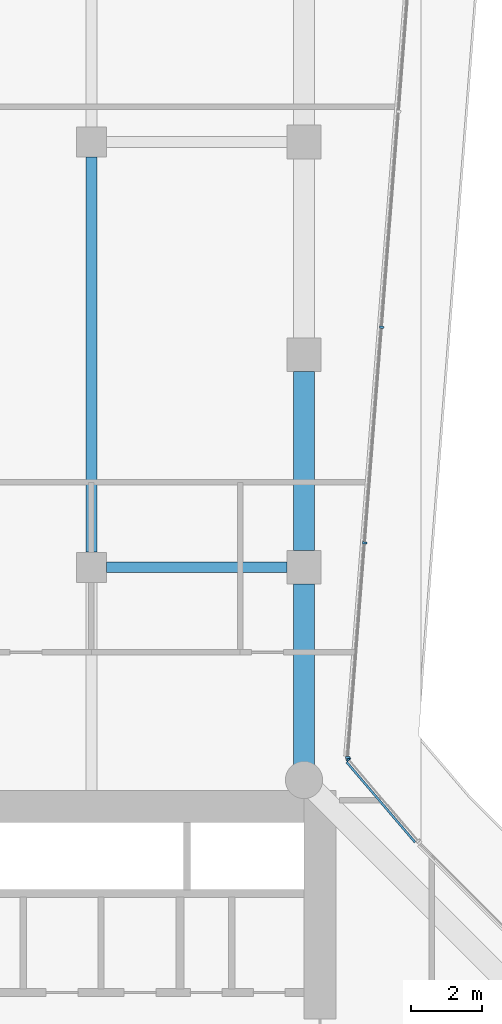
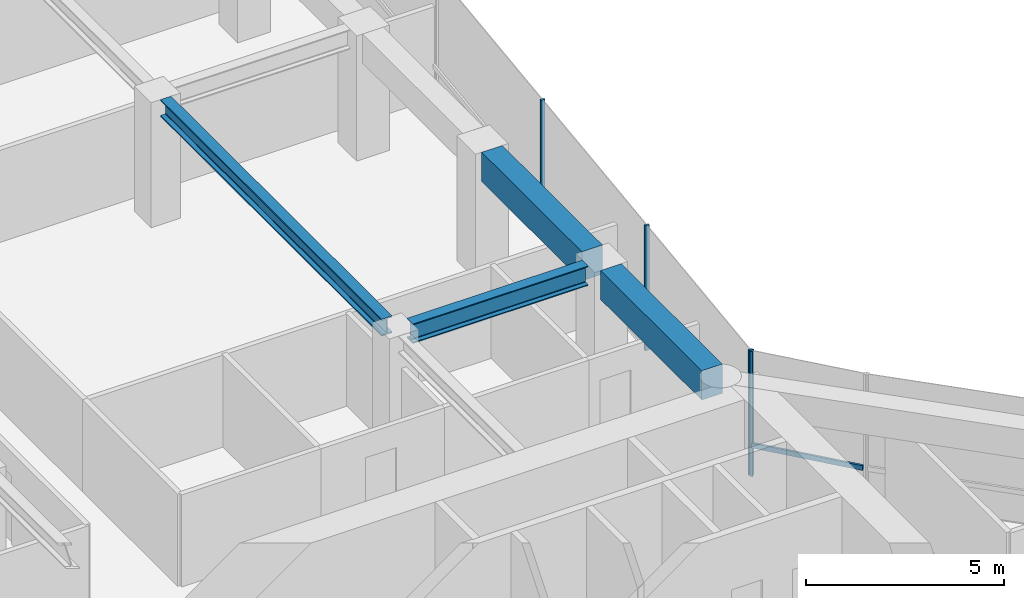
# One storey, part 13 of 29: 5 members, 4 beams, 2 elements without a shape of their own.
"""IFC4 building model written with IfcOpenShell, lengths in metres."""

import ifcopenshell
import ifcopenshell.guid

model = None  # the IFC model being written
_history = None  # IfcOwnerHistory: only IFC2X3 demands one
_inside = {}  # id of a spatial element -> (the spatial element, [elements in it])
_under = {}  # id of a project, library or spatial element -> (it, [spatial elements below it])
_declared = {}  # id of a project -> (the project, [libraries it declares])
_typed = {}  # id of a type object -> (the type object, [elements of that type])
_made_of = {}  # id of a material, layer set ... -> (it, [elements and type objects made of it])


def new_model(schema):
    """Start an empty IFC model of exactly this schema.

    Asked for "IFC4X3", IfcOpenShell would pick the latest addendum, in which some entities
    have other attributes; the version numbers below select the first issue.
    IFC2X3 requires an IfcOwnerHistory on every rooted entity: one is made here for all.
    """
    global model, _history
    if schema == "IFC4X3":
        model = ifcopenshell.file(schema_version=(4, 3, 0, 0))
    else:
        model = ifcopenshell.file(schema=schema)
    _inside.clear()
    _under.clear()
    _declared.clear()
    _typed.clear()
    _made_of.clear()
    _history = None
    if model.schema == "IFC2X3":
        org = make("IfcOrganization", Name="unknown")
        user = make(
            "IfcPersonAndOrganization",
            ThePerson=make("IfcPerson", FamilyName="unknown"),
            TheOrganization=org,
        )
        app = make(
            "IfcApplication",
            ApplicationDeveloper=org,
            Version="unknown",
            ApplicationFullName="unknown",
            ApplicationIdentifier="unknown",
        )
        _history = make(
            "IfcOwnerHistory",
            OwningUser=user,
            OwningApplication=app,
            ChangeAction="ADDED",
            CreationDate=0,
        )
    return model


def make(cls, **values):
    """One entity of the class cls with the attributes given. An attribute that is None is left unset."""
    return model.create_entity(
        cls, **{name: value for name, value in values.items() if value is not None}
    )


def rooted(cls, **values):
    """An entity with a GlobalId (a new one), such as an element, a storey or a relation."""
    return make(cls, GlobalId=ifcopenshell.guid.new(), OwnerHistory=_history, **values)


def si_unit(unit_type, name, prefix=None):
    """IfcSIUnit, for example si_unit("LENGTHUNIT", "METRE", prefix="MILLI")."""
    return make("IfcSIUnit", UnitType=unit_type, Prefix=prefix, Name=name)


def assignment(units):
    """IfcUnitAssignment: the units of a project."""
    return None if units is None else make("IfcUnitAssignment", Units=units)


def point(xyz):
    """IfcCartesianPoint."""
    return None if xyz is None else make("IfcCartesianPoint", Coordinates=xyz)


def direction(xyz):
    """IfcDirection."""
    return None if xyz is None else make("IfcDirection", DirectionRatios=xyz)


def frame(location, z_axis=None, x_axis=None):
    """IfcAxis2Placement3D, a coordinate frame: its origin and axes. An axis left out is left unset."""
    return make(
        "IfcAxis2Placement3D",
        Location=point(location),
        Axis=direction(z_axis),
        RefDirection=direction(x_axis),
    )


def frame_2d(location, x_axis=None):
    """IfcAxis2Placement2D, a coordinate frame in the plane: its origin and x axis."""
    return make(
        "IfcAxis2Placement2D", Location=point(location), RefDirection=direction(x_axis)
    )


def origin():
    """The frame at (0, 0, 0) with its axes left unset."""
    return frame((0.0, 0.0, 0.0))


def origin_2d():
    """The frame at (0, 0) in the plane with its x axis left unset."""
    return frame_2d((0.0, 0.0))


def place(relative_to, where):
    """IfcLocalPlacement: puts the frame where relative to a parent placement (None: the world)."""
    return make(
        "IfcLocalPlacement", PlacementRelTo=relative_to, RelativePlacement=where
    )


def context(
    kind, dimensions, precision=None, world=None, true_north=None, identifier=None
):
    """IfcGeometricRepresentationContext, for example the 3D "Model" context."""
    return make(
        "IfcGeometricRepresentationContext",
        ContextIdentifier=identifier,
        ContextType=kind,
        CoordinateSpaceDimension=dimensions,
        Precision=precision,
        WorldCoordinateSystem=world,
        TrueNorth=true_north,
    )


def subcontext(parent, identifier, kind, view, scale=None):
    """IfcGeometricRepresentationSubContext, for example "Body" below "Model"."""
    return make(
        "IfcGeometricRepresentationSubContext",
        ContextIdentifier=identifier,
        ContextType=kind,
        ParentContext=parent,
        TargetScale=scale,
        TargetView=view,
    )


def project(units=None, contexts=None):
    """IfcProject with its units and contexts."""
    return rooted(
        "IfcProject",
        Name="project",
        RepresentationContexts=contexts,
        UnitsInContext=assignment(units),
    )


def spatial(cls, under=None, at=None, **own):
    """A site, building, storey or space (cls), placed at a placement, below another one or the project."""
    s = rooted(cls, ObjectPlacement=at, **own)
    if under is not None:
        _under.setdefault(under.id(), (under, []))[1].append(s)
    return s


def profile(cls, at=None, kind="AREA", **sizes):
    """A parametric profile (cls). Its sizes go by their IFC names, for example OverallWidth=200.0."""
    return make(cls, ProfileType=kind, Position=at, **sizes)


def rectangle(**sizes):
    """IfcRectangleProfileDef."""
    return profile("IfcRectangleProfileDef", **sizes)


def i_section(**sizes):
    """IfcIShapeProfileDef."""
    return profile("IfcIShapeProfileDef", **sizes)


def extrude(swept, where, along, depth):
    """IfcExtrudedAreaSolid: the profile swept, set in the frame where, extruded along a direction by depth."""
    return make(
        "IfcExtrudedAreaSolid",
        SweptArea=swept,
        Position=where,
        ExtrudedDirection=direction(along),
        Depth=depth,
    )


def shape(context_of_items, identifier, shape_type, items):
    """IfcShapeRepresentation: the items that make up one representation, for example the "Body"."""
    return make(
        "IfcShapeRepresentation",
        ContextOfItems=context_of_items,
        RepresentationIdentifier=identifier,
        RepresentationType=shape_type,
        Items=items,
    )


def material(Name=None, Category=None):
    """IfcMaterial."""
    return make("IfcMaterial", Name=Name, Category=Category)


def layer(
    of_material, thickness, ventilated=None, Name=None, Category=None, Priority=None
):
    """IfcMaterialLayer: one layer of a wall or slab, of a material (None: an air gap)."""
    return make(
        "IfcMaterialLayer",
        Material=of_material,
        LayerThickness=thickness,
        IsVentilated=ventilated,
        Name=Name,
        Category=Category,
        Priority=Priority,
    )


def layer_set(layers, Name=None):
    """IfcMaterialLayerSet."""
    return make("IfcMaterialLayerSet", MaterialLayers=layers, LayerSetName=Name)


def material_profile(
    of_material, cross_section, Name=None, Category=None, Priority=None
):
    """IfcMaterialProfile: a cross section and its material."""
    return make(
        "IfcMaterialProfile",
        Name=Name,
        Material=of_material,
        Profile=cross_section,
        Priority=Priority,
        Category=Category,
    )


def profile_set(profiles, Name=None, composite=None):
    """IfcMaterialProfileSet."""
    return make(
        "IfcMaterialProfileSet",
        Name=Name,
        MaterialProfiles=profiles,
        CompositeProfile=composite,
    )


def made_of(thing, what):
    """Note that an element or type object is made of a material, layer set ...; save() writes the relation."""
    if what is not None:
        _made_of.setdefault(what.id(), (what, []))[1].append(thing)
    return thing


def type_object(cls, material=None, **own):
    """A type object (cls), such as IfcWallType, which elements share."""
    return made_of(rooted(cls, **own), material)


def element(
    cls,
    number,
    at=None,
    inside=None,
    cuts=None,
    type_object=None,
    material=None,
    context=None,
    identifier="Body",
    shape_type=None,
    held_by="IfcProductDefinitionShape",
    body=None,
    shapes=None,
    **own,
):
    """One element of the class cls, such as IfcWall. Its Tag is "e" and its number.

    at: its placement. inside: the storey or other place that contains it. cuts: it is an
    opening in that element (IfcRelVoidsElement). A single representation is given by context,
    identifier, shape_type and body (its items); several are given by shapes. held_by: the class
    of the entity that holds the representations. save() writes the other relations.
    """
    e = rooted(cls, Tag="e%d" % number, ObjectPlacement=at, **own)
    if body is not None:
        shapes = [shape(context, identifier, shape_type, body)]
    if shapes is not None:
        e.Representation = make(held_by, Representations=shapes)
    if inside is not None:
        _inside.setdefault(inside.id(), (inside, []))[1].append(e)
    if cuts is not None:
        rooted(
            "IfcRelVoidsElement", RelatingBuildingElement=cuts, RelatedOpeningElement=e
        )
    if type_object is not None:
        _typed.setdefault(type_object.id(), (type_object, []))[1].append(e)
    return made_of(e, material)


def aggregate(whole, parts):
    """IfcRelAggregates: a whole, such as a stair, and the parts it consists of."""
    return rooted("IfcRelAggregates", RelatingObject=whole, RelatedObjects=parts)


def save(model, path):
    """Write the relations noted so far, then the file.

    IfcRelAggregates (storeys below a building ...), IfcRelContainedInSpatialStructure (elements
    in a storey), IfcRelDefinesByType, IfcRelAssociatesMaterial and IfcRelDeclares: one each for
    every whole, place, type object, material and project.
    """
    for whole, parts in _under.values():
        aggregate(whole, parts)
    for where, things in _inside.values():
        rooted(
            "IfcRelContainedInSpatialStructure",
            RelatedElements=things,
            RelatingStructure=where,
        )
    for kind, things in _typed.values():
        rooted("IfcRelDefinesByType", RelatedObjects=things, RelatingType=kind)
    for what, things in _made_of.values():
        rooted("IfcRelAssociatesMaterial", RelatedObjects=things, RelatingMaterial=what)
    for by, libraries in _declared.values():
        rooted("IfcRelDeclares", RelatingContext=by, RelatedDefinitions=libraries)
    model.write(path)


model = new_model("IFC4")

# Units and contexts
model_context = context("Model", 3, precision=1e-05, world=origin(), true_north=direction((0.0, 1.0)))
body_context = subcontext(model_context, "Body", "Model", "MODEL_VIEW")
ifc_project = project(units=[si_unit("LENGTHUNIT", "METRE"), si_unit("AREAUNIT", "SQUARE_METRE"), si_unit("VOLUMEUNIT", "CUBIC_METRE"), si_unit("PLANEANGLEUNIT", "RADIAN"), si_unit("MASSUNIT", "GRAM", prefix="KILO")], contexts=[model_context])

# Site, building, storey
site_placement = place(None, origin())
site = spatial("IfcSite", under=ifc_project, at=site_placement, CompositionType="ELEMENT")
building_placement = place(site_placement, origin())
building = spatial("IfcBuilding", under=site, at=building_placement, Name="Welwitschia Terrace Campus", CompositionType="ELEMENT")
storey_placement = place(building_placement, frame((0.0, 0.0, 33.199951171875)))
storey = spatial("IfcBuildingStorey", under=building, at=storey_placement, Name="L07", CompositionType="ELEMENT", Elevation=33.199951171875)

# Beam
ifc_material_1 = material(Name="Steel S355", Category="steel")
ifc_material_profile_1 = material_profile(ifc_material_1, i_section(OverallWidth=0.305908203125, OverallDepth=0.52392578125, WebThickness=0.02099609375, FlangeThickness=0.0400390625, FilletRadius=0.027099609375, at=origin_2d()))
ifc_profile_set_1 = profile_set([ifc_material_profile_1], Name="Steel S355")
beam_type_1 = type_object("IfcBeamType", Name="Interior girder HE 500 M", PredefinedType="BEAM", material=ifc_profile_set_1)
beam_1_placement = place(storey_placement, frame((18.0, 32.425537109375, 3.588134765625), z_axis=(0.0, 1.0, 0.0), x_axis=(-1.0, 0.0, 0.0)))
element("IfcBeam", 1, at=beam_1_placement, inside=storey, type_object=beam_type_1, Name="Girder GB2", PredefinedType="BEAM", context=body_context, shape_type="SweptSolid", body=[
    extrude(i_section(OverallWidth=0.305908203125, OverallDepth=0.52392578125, WebThickness=0.02099609375, FlangeThickness=0.0400390625, FilletRadius=0.027099609375, at=origin_2d()), origin(), (0.0, 0.0, 1.0), 11.14892578125),
])

# Curtain wall, member
ifc_material_2 = material(Name="Bronze anodised aluminium", Category="aluminium")
ifc_layer = layer(ifc_material_2, 0.1201171875)
ifc_layer_set = layer_set([ifc_layer], Name="Bronze anodised aluminium")
curtain_wall_type = type_object("IfcCurtainWallType", Name="Curtain wall CW2 tower 6000", PredefinedType="NOTDEFINED", material=ifc_layer_set)
curtain_wall_1_placement = place(storey_placement, origin())
curtain_wall_1 = element("IfcCurtainWall", 2, at=curtain_wall_1_placement, inside=storey, type_object=curtain_wall_type, Name="CW L07.13.0", PredefinedType="NOTDEFINED")
ifc_material_3 = material(Name="Bronze anodised aluminium", Category="aluminium")
ifc_material_profile_2 = material_profile(ifc_material_3, rectangle(XDim=0.1201171875, YDim=0.06005859375, at=origin_2d()))
ifc_profile_set_2 = profile_set([ifc_material_profile_2], Name="Bronze anodised aluminium")
member_type_1 = type_object("IfcMemberType", Name="Mullion 60x120", PredefinedType="MULLION", material=ifc_profile_set_2)
member_1_placement = place(storey_placement, frame((25.253173828125, 26.582275390625, 0.0), z_axis=(0.0, 0.0, 1.0), x_axis=(-0.7604059656, -0.64944804833, 0.0)))
member_1 = element("IfcMember", 3, at=member_1_placement, type_object=member_type_1, Name="Mullion L07.13.0.1", PredefinedType="MULLION", context=body_context, shape_type="SweptSolid", body=[
    extrude(rectangle(XDim=0.1201171875, YDim=0.06005859375, at=origin_2d()), origin(), (0.0, 0.0, 1.0), 3.85009765625),
])

# Curtain wall, members
curtain_wall_2_placement = place(storey_placement, origin())
curtain_wall_2 = element("IfcCurtainWall", 4, at=curtain_wall_2_placement, inside=storey, type_object=curtain_wall_type, Name="CW L07.14.0", PredefinedType="NOTDEFINED")
member_2_placement = place(storey_placement, frame((25.236083984375, 26.635009765625, 0.0), z_axis=(0.0, 0.0, 1.0), x_axis=(-0.996917333733, 0.078459095728, 0.0)))
member_2 = element("IfcMember", 5, at=member_2_placement, type_object=member_type_1, Name="Mullion L07.14.0.0", PredefinedType="MULLION", context=body_context, shape_type="SweptSolid", body=[
    extrude(rectangle(XDim=0.1201171875, YDim=0.06005859375, at=origin_2d()), origin(), (0.0, 0.0, 1.0), 3.85009765625),
])
member_3_placement = place(storey_placement, frame((25.712646484375, 32.689453125, 0.0), z_axis=(0.0, 0.0, 1.0), x_axis=(-0.996917333733, 0.078459095728, 0.0)))
member_3 = element("IfcMember", 6, at=member_3_placement, type_object=member_type_1, Name="Mullion L07.14.0.1", PredefinedType="MULLION", context=body_context, shape_type="SweptSolid", body=[
    extrude(rectangle(XDim=0.1201171875, YDim=0.06005859375, at=origin_2d()), origin(), (0.0, 0.0, 1.0), 3.85009765625),
])
member_4_placement = place(storey_placement, frame((26.19140625, 38.77392578125, 0.0), z_axis=(0.0, 0.0, 1.0), x_axis=(-0.996917333733, 0.078459095728, 0.0)))
member_4 = element("IfcMember", 7, at=member_4_placement, type_object=member_type_1, Name="Mullion L07.14.0.2", PredefinedType="MULLION", context=body_context, shape_type="SweptSolid", body=[
    extrude(rectangle(XDim=0.1201171875, YDim=0.06005859375, at=origin_2d()), origin(), (0.0, 0.0, 1.0), 3.85009765625),
])
aggregate(curtain_wall_2, [member_2, member_3, member_4])

# Beams
ifc_material_4 = material(Name="Steel S355", Category="steel")
ifc_material_profile_3 = material_profile(ifc_material_4, i_section(OverallWidth=0.300048828125, OverallDepth=0.60009765625, WebThickness=0.015380859375, FlangeThickness=0.030029296875, FilletRadius=0.027099609375, at=origin_2d()))
ifc_profile_set_3 = profile_set([ifc_material_profile_3], Name="Steel S355")
beam_type_2 = type_object("IfcBeamType", Name="Primary beam HE 600 B", PredefinedType="BEAM", material=ifc_profile_set_3)
beam_2_placement = place(storey_placement, frame((23.5244140625, 32.0, 3.550048828125), z_axis=(-1.0, 0.0, 0.0), x_axis=(0.0, -1.0, 0.0)))
element("IfcBeam", 8, at=beam_2_placement, inside=storey, type_object=beam_type_2, Name="Primary beam PB2", PredefinedType="BEAM", context=body_context, shape_type="SweptSolid", body=[
    extrude(i_section(OverallWidth=0.300048828125, OverallDepth=0.60009765625, WebThickness=0.015380859375, FlangeThickness=0.030029296875, FilletRadius=0.027099609375, at=origin_2d()), origin(), (0.0, 0.0, 1.0), 5.098876953125),
])
ifc_material_5 = material(Name="Concrete C60/75", Category="concrete")
ifc_material_profile_4 = material_profile(ifc_material_5, rectangle(XDim=0.60009765625, YDim=0.89990234375, at=origin_2d()))
ifc_profile_set_4 = profile_set([ifc_material_profile_4], Name="Concrete C60/75")
beam_type_3 = type_object("IfcBeamType", Name="Ring spandrel 600x900", PredefinedType="SPANDREL", material=ifc_profile_set_4)
beam_3_placement = place(storey_placement, frame((24.0, 26.431396484375, 3.400146484375), z_axis=(0.0, 1.0, 0.0), x_axis=(-1.0, 0.0, 0.0)))
element("IfcBeam", 9, at=beam_3_placement, inside=storey, type_object=beam_type_3, Name="Spandrel SP2", PredefinedType="SPANDREL", context=body_context, shape_type="SweptSolid", body=[
    extrude(rectangle(XDim=0.60009765625, YDim=0.89990234375, at=origin_2d()), origin(), (0.0, 0.0, 1.0), 5.093017578125),
])
beam_4_placement = place(storey_placement, frame((24.0, 32.4755859375, 3.400146484375), z_axis=(0.0, 1.0, 0.0), x_axis=(-1.0, 0.0, 0.0)))
element("IfcBeam", 10, at=beam_4_placement, inside=storey, type_object=beam_type_3, Name="Spandrel SP2", PredefinedType="SPANDREL", context=body_context, shape_type="SweptSolid", body=[
    extrude(rectangle(XDim=0.60009765625, YDim=0.89990234375, at=origin_2d()), origin(), (0.0, 0.0, 1.0), 5.048828125),
])

# Member
ifc_material_6 = material(Name="Bronze anodised aluminium", Category="aluminium")
ifc_material_profile_5 = material_profile(ifc_material_6, rectangle(XDim=0.06005859375, YDim=0.14990234375, at=origin_2d()))
ifc_profile_set_5 = profile_set([ifc_material_profile_5], Name="Bronze anodised aluminium")
member_type_2 = type_object("IfcMemberType", Name="Transom 60x150", PredefinedType="USERDEFINED", material=ifc_profile_set_5)
member_5_placement = place(storey_placement, frame((27.13134765625, 24.24462890625, 1.0), z_axis=(-0.649428366508, 0.760422775024, 0.0), x_axis=(-0.760422775024, -0.649428366508, 0.0)))
member_5 = element("IfcMember", 11, at=member_5_placement, type_object=member_type_2, Name="Transom L07.13.0", ObjectType="TRANSOM", PredefinedType="USERDEFINED", context=body_context, shape_type="SweptSolid", body=[
    extrude(rectangle(XDim=0.06005859375, YDim=0.14990234375, at=origin_2d()), origin(), (0.0, 0.0, 1.0), 2.96728515625),
])

aggregate(curtain_wall_1, [member_1, member_5])

save(model, "model.ifc")
